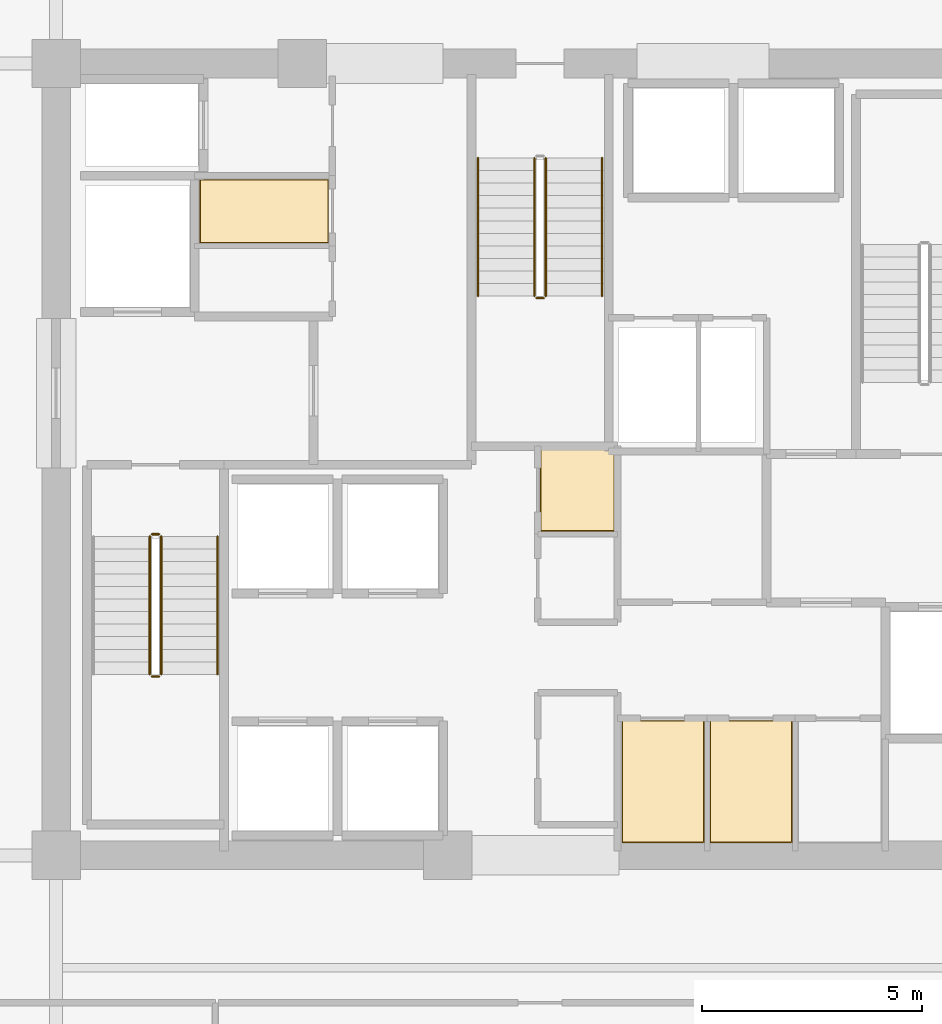
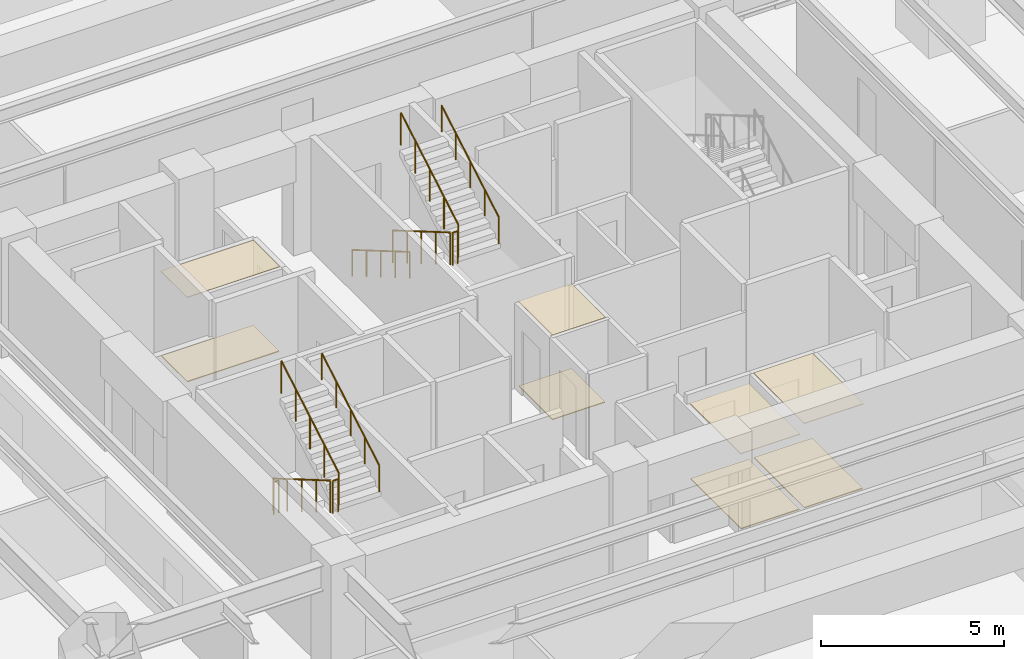
# One storey, part 20 of 23: 10 railings, 8 coverings.
"""IFC4 building model written with IfcOpenShell, lengths in metres."""

from ifc_helpers import new_model, si_unit, direction, frame, origin, origin_2d, place, context, subcontext, project, spatial, polyline, circle, outline, extrude, material, layer, layer_set, type_object, element, save


model = new_model("IFC4")

# Units and contexts
model_context = context("Model", 3, precision=1e-05, world=origin(), true_north=direction((0.0, 1.0)))
body_context = subcontext(model_context, "Body", "Model", "MODEL_VIEW")
ifc_project = project(units=[si_unit("LENGTHUNIT", "METRE"), si_unit("AREAUNIT", "SQUARE_METRE"), si_unit("VOLUMEUNIT", "CUBIC_METRE"), si_unit("PLANEANGLEUNIT", "RADIAN"), si_unit("MASSUNIT", "GRAM", prefix="KILO")], contexts=[model_context])

# Site, building, storey
site_placement = place(None, origin())
site = spatial("IfcSite", under=ifc_project, at=site_placement, CompositionType="ELEMENT")
building_placement = place(site_placement, origin())
building = spatial("IfcBuilding", under=site, at=building_placement, Name="Kovane Verandah Tower", CompositionType="ELEMENT")
storey_placement = place(building_placement, frame((0.0, 0.0, 63.60009765625)))
storey = spatial("IfcBuildingStorey", under=building, at=storey_placement, Name="L14", CompositionType="ELEMENT", Elevation=63.60009765625)

# Coverings
ifc_material_1 = material(Name="Perforated Acoustic Mineral-Fibre Ceiling Tile", Category="gypsum")
ifc_layer_1 = layer(ifc_material_1, 0.02490234375)
ifc_layer_set_1 = layer_set([ifc_layer_1], Name="Perforated Acoustic Mineral-Fibre Ceiling Tile")
covering_type_1 = type_object("IfcCoveringType", Name="CV-CEIL-25", PredefinedType="CEILING", material=ifc_layer_set_1)
covering_1_placement = place(storey_placement, frame((0.0, 0.0, 2.514892578125)))
element("IfcCovering", 1, at=covering_1_placement, inside=storey, type_object=covering_type_1, Name="L14 Mail and Copy Room Acoustic Ceiling", PredefinedType="CEILING", context=body_context, shape_type="SweptSolid", body=[
    extrude(outline(polyline([(41.864990234375, 18.784912109375), (43.735107421875, 18.784912109375), (43.735107421875, 21.56494140625), (41.864990234375, 21.56494140625), (41.864990234375, 18.784912109375)])), origin(), (0.0, 0.0, 1.0), 0.02490234375),
])
covering_2_placement = place(storey_placement, frame((0.0, 0.0, 2.824951171875)))
element("IfcCovering", 2, at=covering_2_placement, inside=storey, type_object=covering_type_1, Name="L14 First Aid Room Acoustic Ceiling", PredefinedType="CEILING", context=body_context, shape_type="SweptSolid", body=[
    extrude(outline(polyline([(43.864990234375, 18.784912109375), (45.735107421875, 18.784912109375), (45.735107421875, 21.56494140625), (43.864990234375, 21.56494140625), (43.864990234375, 18.784912109375)])), origin(), (0.0, 0.0, 1.0), 0.02490234375),
])
covering_3_placement = place(storey_placement, frame((0.0, 0.0, 2.824951171875)))
element("IfcCovering", 3, at=covering_3_placement, inside=storey, type_object=covering_type_1, Name="L14 North-West First Aid Room Acoustic Ceiling", PredefinedType="CEILING", context=body_context, shape_type="SweptSolid", body=[
    extrude(outline(polyline([(32.264892578125, 32.4150390625), (35.195068359375, 32.4150390625), (35.195068359375, 33.864990234375), (32.264892578125, 33.864990234375), (32.264892578125, 32.4150390625)])), origin(), (0.0, 0.0, 1.0), 0.02490234375),
])
covering_4_placement = place(storey_placement, frame((0.0, 0.0, 2.824951171875)))
element("IfcCovering", 4, at=covering_4_placement, inside=storey, type_object=covering_type_1, Name="L14 Central First Aid and Wellness Room Acoustic Ceiling", PredefinedType="CEILING", context=body_context, shape_type="SweptSolid", body=[
    extrude(outline(polyline([(40.0048828125, 25.864990234375), (41.695068359375, 25.864990234375), (41.695068359375, 27.735107421875), (40.0048828125, 27.735107421875), (40.0048828125, 25.864990234375)])), origin(), (0.0, 0.0, 1.0), 0.02490234375),
])
ifc_material_2 = material(Name="Polished Terrazzo and Raised-Access Carpet Tile Finish", Category="concrete")
ifc_layer_2 = layer(ifc_material_2, 0.030029296875)
ifc_layer_set_2 = layer_set([ifc_layer_2], Name="Polished Terrazzo and Raised-Access Carpet Tile Finish")
covering_type_2 = type_object("IfcCoveringType", Name="CV-FLOR-30", PredefinedType="FLOORING", material=ifc_layer_set_2)
covering_5_placement = place(storey_placement, origin())
element("IfcCovering", 5, at=covering_5_placement, inside=storey, type_object=covering_type_2, Name="L14 Mail and Copy Room Floor Finish", PredefinedType="FLOORING", context=body_context, shape_type="SweptSolid", body=[
    extrude(outline(polyline([(41.8798828125, 18.800048828125), (43.719970703125, 18.800048828125), (43.719970703125, 21.550048828125), (41.8798828125, 21.550048828125), (41.8798828125, 18.800048828125)])), origin(), (0.0, 0.0, 1.0), 0.02978515625),
])
covering_6_placement = place(storey_placement, origin())
element("IfcCovering", 6, at=covering_6_placement, inside=storey, type_object=covering_type_2, Name="L14 First Aid Room Floor Finish", PredefinedType="FLOORING", context=body_context, shape_type="SweptSolid", body=[
    extrude(outline(polyline([(43.8798828125, 18.800048828125), (45.719970703125, 18.800048828125), (45.719970703125, 21.550048828125), (43.8798828125, 21.550048828125), (43.8798828125, 18.800048828125)])), origin(), (0.0, 0.0, 1.0), 0.02978515625),
])
covering_7_placement = place(storey_placement, origin())
element("IfcCovering", 7, at=covering_7_placement, inside=storey, type_object=covering_type_2, Name="L14 North-West First Aid Room Floor Finish", PredefinedType="FLOORING", context=body_context, shape_type="SweptSolid", body=[
    extrude(outline(polyline([(32.280029296875, 32.429931640625), (35.179931640625, 32.429931640625), (35.179931640625, 33.85009765625), (32.280029296875, 33.85009765625), (32.280029296875, 32.429931640625)])), origin(), (0.0, 0.0, 1.0), 0.02978515625),
])
covering_8_placement = place(storey_placement, origin())
element("IfcCovering", 8, at=covering_8_placement, inside=storey, type_object=covering_type_2, Name="L14 Central First Aid and Wellness Room Floor Finish", PredefinedType="FLOORING", context=body_context, shape_type="SweptSolid", body=[
    extrude(outline(polyline([(40.02001953125, 25.8798828125), (41.679931640625, 25.8798828125), (41.679931640625, 27.719970703125), (40.02001953125, 27.719970703125), (40.02001953125, 25.8798828125)])), origin(), (0.0, 0.0, 1.0), 0.02978515625),
])

# Railings
ifc_material_3 = material(Name="Brushed Stainless Steel Handrail", Category="steel")
railing_type_1 = type_object("IfcRailingType", Name="RL-HAND-920", PredefinedType="HANDRAIL", material=ifc_material_3)
railing_1_placement = place(storey_placement, frame((32.669921875, 22.614990234375, 2.16650390625)))
element("IfcRailing", 9, at=railing_1_placement, inside=storey, type_object=railing_type_1, Name="L14 ST-01 stair handrail 2", PredefinedType="HANDRAIL", context=body_context, shape_type="SweptSolid", body=[
    extrude(circle(Radius=0.02392578125, at=origin_2d()), frame((0.0, 0.0, 0.8759765625), z_axis=(0.0, 0.863210265497, 0.504844567704), x_axis=(-1.0, 0.0, 0.0)), (0.0, 0.0, 1.0), 3.6318359375),
    extrude(circle(Radius=0.02099609375, at=origin_2d()), origin(), (0.0, 0.0, 1.0), 0.851806640625),
    extrude(circle(Radius=0.02099609375, at=origin_2d()), frame((0.0, 0.78369140625, 0.45849609375)), (0.0, 0.0, 1.0), 0.851806640625),
    extrude(circle(Radius=0.02099609375, at=origin_2d()), frame((0.0, 1.5673828125, 0.916748046875)), (0.0, 0.0, 1.0), 0.851806640625),
    extrude(circle(Radius=0.02099609375, at=origin_2d()), frame((0.0, 2.351318359375, 1.375)), (0.0, 0.0, 1.0), 0.851806640625),
    extrude(circle(Radius=0.02099609375, at=origin_2d()), frame((0.0, 3.135009765625, 1.83349609375)), (0.0, 0.0, 1.0), 0.851806640625),
])
railing_2_placement = place(storey_placement, frame((38.590087890625, 34.35009765625, 0.16650390625)))
element("IfcRailing", 10, at=railing_2_placement, inside=storey, type_object=railing_type_1, Name="L14 ST-03 stair handrail 1", PredefinedType="HANDRAIL", context=body_context, shape_type="SweptSolid", body=[
    extrude(circle(Radius=0.02392578125, at=origin_2d()), frame((0.0, 0.0, 0.8759765625), z_axis=(0.0, -0.863210265497, 0.504844567704), x_axis=(1.0, 0.0, 0.0)), (0.0, 0.0, 1.0), 3.6318359375),
    extrude(circle(Radius=0.02099609375, at=origin_2d()), origin(), (0.0, 0.0, 1.0), 0.851806640625),
    extrude(circle(Radius=0.02099609375, at=origin_2d()), frame((0.0, -0.78369140625, 0.45849609375)), (0.0, 0.0, 1.0), 0.851806640625),
    extrude(circle(Radius=0.02099609375, at=origin_2d()), frame((0.0, -1.5673828125, 0.916748046875)), (0.0, 0.0, 1.0), 0.851806640625),
    extrude(circle(Radius=0.02099609375, at=origin_2d()), frame((0.0, -2.351318359375, 1.375)), (0.0, 0.0, 1.0), 0.851806640625),
    extrude(circle(Radius=0.02099609375, at=origin_2d()), frame((0.0, -3.135009765625, 1.83349609375)), (0.0, 0.0, 1.0), 0.851806640625),
])
railing_3_placement = place(storey_placement, frame((41.409912109375, 31.215087890625, 2.16650390625)))
element("IfcRailing", 11, at=railing_3_placement, inside=storey, type_object=railing_type_1, Name="L14 ST-03 stair handrail 2", PredefinedType="HANDRAIL", context=body_context, shape_type="SweptSolid", body=[
    extrude(circle(Radius=0.02392578125, at=origin_2d()), frame((0.0, 0.0, 0.8759765625), z_axis=(0.0, 0.863210265497, 0.504844567704), x_axis=(-1.0, 0.0, 0.0)), (0.0, 0.0, 1.0), 3.6318359375),
    extrude(circle(Radius=0.02099609375, at=origin_2d()), origin(), (0.0, 0.0, 1.0), 0.851806640625),
    extrude(circle(Radius=0.02099609375, at=origin_2d()), frame((0.0, 0.78369140625, 0.45849609375)), (0.0, 0.0, 1.0), 0.851806640625),
    extrude(circle(Radius=0.02099609375, at=origin_2d()), frame((0.0, 1.5673828125, 0.916748046875)), (0.0, 0.0, 1.0), 0.851806640625),
    extrude(circle(Radius=0.02099609375, at=origin_2d()), frame((0.0, 2.351318359375, 1.375)), (0.0, 0.0, 1.0), 0.851806640625),
    extrude(circle(Radius=0.02099609375, at=origin_2d()), frame((0.0, 3.135009765625, 1.83349609375)), (0.0, 0.0, 1.0), 0.851806640625),
])
ifc_material_4 = material(Name="Painted Steel Stairwell Guardrail", Category="steel")
railing_type_2 = type_object("IfcRailingType", Name="RL-STGUARD-1120", PredefinedType="GUARDRAIL", material=ifc_material_4)
railing_4_placement = place(storey_placement, frame((31.1298828125, 25.75, 0.16650390625)))
element("IfcRailing", 12, at=railing_4_placement, inside=storey, type_object=railing_type_2, Name="L14 ST-01 stair guard 1", PredefinedType="GUARDRAIL", context=body_context, shape_type="SweptSolid", body=[
    extrude(circle(Radius=0.02392578125, at=origin_2d()), frame((0.0, 0.0, 1.076171875), z_axis=(0.0, -0.863210265497, 0.504844567704), x_axis=(1.0, 0.0, 0.0)), (0.0, 0.0, 1.0), 3.6318359375),
    extrude(circle(Radius=0.02099609375, at=origin_2d()), origin(), (0.0, 0.0, 1.0), 1.052001953125),
    extrude(circle(Radius=0.02099609375, at=origin_2d()), frame((0.0, -0.78369140625, 0.45849609375)), (0.0, 0.0, 1.0), 1.052001953125),
    extrude(circle(Radius=0.02099609375, at=origin_2d()), frame((0.0, -1.5673828125, 0.916748046875)), (0.0, 0.0, 1.0), 1.052001953125),
    extrude(circle(Radius=0.02099609375, at=origin_2d()), frame((0.0, -2.351318359375, 1.375)), (0.0, 0.0, 1.0), 1.052001953125),
    extrude(circle(Radius=0.02099609375, at=origin_2d()), frame((0.0, -3.135009765625, 1.83349609375)), (0.0, 0.0, 1.0), 1.052001953125),
])
railing_5_placement = place(storey_placement, frame((31.179931640625, 22.56494140625, 2.0)))
element("IfcRailing", 13, at=railing_5_placement, inside=storey, type_object=railing_type_2, Name="L14 ST-01 stair guard 2", PredefinedType="GUARDRAIL", context=body_context, shape_type="SweptSolid", body=[
    extrude(circle(Radius=0.02392578125, at=origin_2d()), frame((0.0, 0.0, 1.076171875), z_axis=(1.0, 0.0, 0.0), x_axis=(0.0, 1.0, 0.0)), (0.0, 0.0, 1.0), 0.16015625),
    extrude(circle(Radius=0.02099609375, at=origin_2d()), origin(), (0.0, 0.0, 1.0), 1.052001953125),
    extrude(circle(Radius=0.02099609375, at=origin_2d()), frame((0.16015625, 0.0, 0.0)), (0.0, 0.0, 1.0), 1.052001953125),
])
railing_6_placement = place(storey_placement, frame((31.389892578125, 22.614990234375, 2.16650390625)))
element("IfcRailing", 14, at=railing_6_placement, inside=storey, type_object=railing_type_2, Name="L14 ST-01 stair guard 3", PredefinedType="GUARDRAIL", context=body_context, shape_type="SweptSolid", body=[
    extrude(circle(Radius=0.02392578125, at=origin_2d()), frame((0.0, 0.0, 1.076171875), z_axis=(0.0, 0.863210265497, 0.504844567704), x_axis=(-1.0, 0.0, 0.0)), (0.0, 0.0, 1.0), 3.6318359375),
    extrude(circle(Radius=0.02099609375, at=origin_2d()), origin(), (0.0, 0.0, 1.0), 1.052001953125),
    extrude(circle(Radius=0.02099609375, at=origin_2d()), frame((0.0, 0.78369140625, 0.45849609375)), (0.0, 0.0, 1.0), 1.052001953125),
    extrude(circle(Radius=0.02099609375, at=origin_2d()), frame((0.0, 1.5673828125, 0.916748046875)), (0.0, 0.0, 1.0), 1.052001953125),
    extrude(circle(Radius=0.02099609375, at=origin_2d()), frame((0.0, 2.351318359375, 1.375)), (0.0, 0.0, 1.0), 1.052001953125),
    extrude(circle(Radius=0.02099609375, at=origin_2d()), frame((0.0, 3.135009765625, 1.83349609375)), (0.0, 0.0, 1.0), 1.052001953125),
])
railing_7_placement = place(storey_placement, frame((31.179931640625, 25.800048828125, 0.0)))
element("IfcRailing", 15, at=railing_7_placement, inside=storey, type_object=railing_type_2, Name="L14 ST-01 stair guard 4", PredefinedType="GUARDRAIL", context=body_context, shape_type="SweptSolid", body=[
    extrude(circle(Radius=0.02392578125, at=origin_2d()), frame((0.0, 0.0, 1.076171875), z_axis=(1.0, 0.0, 0.0), x_axis=(0.0, 1.0, 0.0)), (0.0, 0.0, 1.0), 0.16015625),
    extrude(circle(Radius=0.02099609375, at=origin_2d()), origin(), (0.0, 0.0, 1.0), 1.052001953125),
    extrude(circle(Radius=0.02099609375, at=origin_2d()), frame((0.16015625, 0.0, 0.0)), (0.0, 0.0, 1.0), 1.052001953125),
])
railing_8_placement = place(storey_placement, frame((39.8701171875, 34.35009765625, 0.16650390625)))
element("IfcRailing", 16, at=railing_8_placement, inside=storey, type_object=railing_type_2, Name="L14 ST-03 stair guard 1", PredefinedType="GUARDRAIL", context=body_context, shape_type="SweptSolid", body=[
    extrude(circle(Radius=0.02392578125, at=origin_2d()), frame((0.0, 0.0, 1.076171875), z_axis=(0.0, -0.863210265497, 0.504844567704), x_axis=(1.0, 0.0, 0.0)), (0.0, 0.0, 1.0), 3.6318359375),
    extrude(circle(Radius=0.02099609375, at=origin_2d()), origin(), (0.0, 0.0, 1.0), 1.052001953125),
    extrude(circle(Radius=0.02099609375, at=origin_2d()), frame((0.0, -0.78369140625, 0.45849609375)), (0.0, 0.0, 1.0), 1.052001953125),
    extrude(circle(Radius=0.02099609375, at=origin_2d()), frame((0.0, -1.5673828125, 0.916748046875)), (0.0, 0.0, 1.0), 1.052001953125),
    extrude(circle(Radius=0.02099609375, at=origin_2d()), frame((0.0, -2.351318359375, 1.375)), (0.0, 0.0, 1.0), 1.052001953125),
    extrude(circle(Radius=0.02099609375, at=origin_2d()), frame((0.0, -3.135009765625, 1.83349609375)), (0.0, 0.0, 1.0), 1.052001953125),
])
railing_9_placement = place(storey_placement, frame((39.919921875, 31.1650390625, 2.0)))
element("IfcRailing", 17, at=railing_9_placement, inside=storey, type_object=railing_type_2, Name="L14 ST-03 stair guard 2", PredefinedType="GUARDRAIL", context=body_context, shape_type="SweptSolid", body=[
    extrude(circle(Radius=0.02392578125, at=origin_2d()), frame((0.0, 0.0, 1.076171875), z_axis=(1.0, 0.0, 0.0), x_axis=(0.0, 1.0, 0.0)), (0.0, 0.0, 1.0), 0.16015625),
    extrude(circle(Radius=0.02099609375, at=origin_2d()), origin(), (0.0, 0.0, 1.0), 1.052001953125),
    extrude(circle(Radius=0.02099609375, at=origin_2d()), frame((0.16015625, 0.0, 0.0)), (0.0, 0.0, 1.0), 1.052001953125),
])
railing_10_placement = place(storey_placement, frame((40.1298828125, 31.215087890625, 2.16650390625)))
element("IfcRailing", 18, at=railing_10_placement, inside=storey, type_object=railing_type_2, Name="L14 ST-03 stair guard 3", PredefinedType="GUARDRAIL", context=body_context, shape_type="SweptSolid", body=[
    extrude(circle(Radius=0.02392578125, at=origin_2d()), frame((0.0, 0.0, 1.076171875), z_axis=(0.0, 0.863210265497, 0.504844567704), x_axis=(-1.0, 0.0, 0.0)), (0.0, 0.0, 1.0), 3.6318359375),
    extrude(circle(Radius=0.02099609375, at=origin_2d()), origin(), (0.0, 0.0, 1.0), 1.052001953125),
    extrude(circle(Radius=0.02099609375, at=origin_2d()), frame((0.0, 0.78369140625, 0.45849609375)), (0.0, 0.0, 1.0), 1.052001953125),
    extrude(circle(Radius=0.02099609375, at=origin_2d()), frame((0.0, 1.5673828125, 0.916748046875)), (0.0, 0.0, 1.0), 1.052001953125),
    extrude(circle(Radius=0.02099609375, at=origin_2d()), frame((0.0, 2.351318359375, 1.375)), (0.0, 0.0, 1.0), 1.052001953125),
    extrude(circle(Radius=0.02099609375, at=origin_2d()), frame((0.0, 3.135009765625, 1.83349609375)), (0.0, 0.0, 1.0), 1.052001953125),
])

save(model, "model.ifc")
